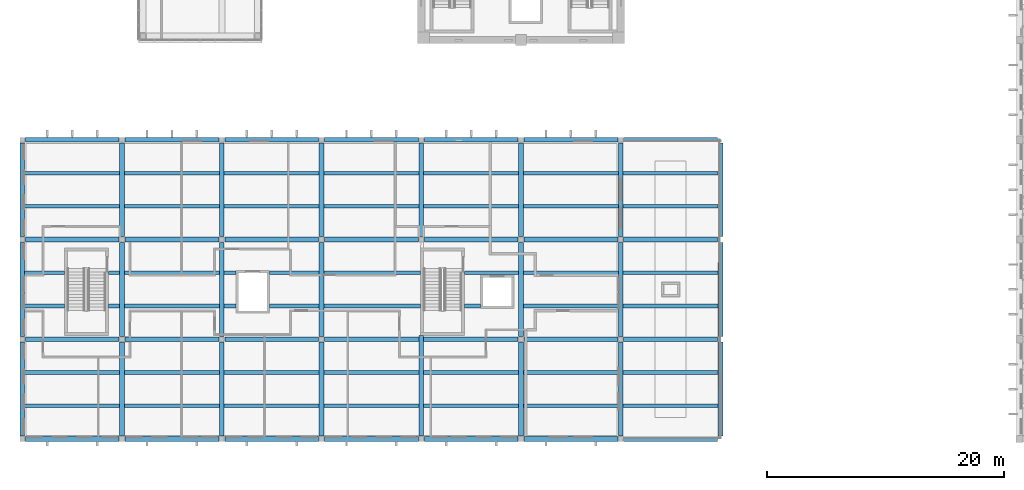
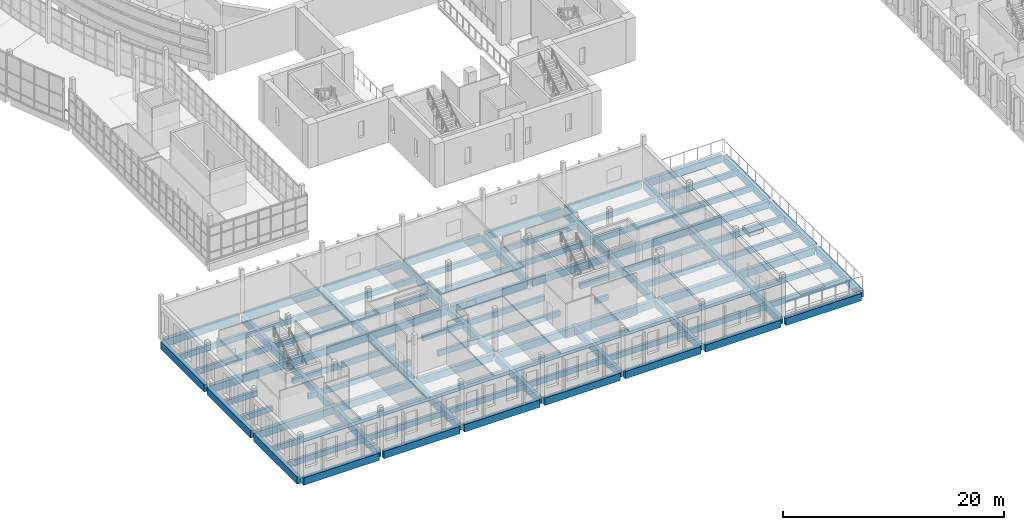
# One storey, part 3 of 103: 96 beams.
"""IFC4 building model written with IfcOpenShell, lengths in metres."""

from ifc_helpers import new_model, si_unit, direction, frame, origin, origin_2d, place, context, subcontext, project, spatial, rectangle, extrude, material, material_profile, profile_set, type_object, element, save


model = new_model("IFC4")

# Units and contexts
model_context = context("Model", 3, precision=1e-05, world=origin(), true_north=direction((0.0, 1.0)))
body_context = subcontext(model_context, "Body", "Model", "MODEL_VIEW")
ifc_project = project(units=[si_unit("LENGTHUNIT", "METRE"), si_unit("AREAUNIT", "SQUARE_METRE"), si_unit("VOLUMEUNIT", "CUBIC_METRE"), si_unit("PLANEANGLEUNIT", "RADIAN"), si_unit("MASSUNIT", "GRAM", prefix="KILO")], contexts=[model_context])

# Site, building, storey
site_placement = place(None, origin())
site = spatial("IfcSite", under=ifc_project, at=site_placement, CompositionType="ELEMENT")
building_placement = place(site_placement, origin())
building = spatial("IfcBuilding", under=site, at=building_placement, Name="Larchfold Concert Hall", CompositionType="ELEMENT")
storey_placement = place(building_placement, frame((0.0, 0.0, 9.60009765625)))
storey = spatial("IfcBuildingStorey", under=building, at=storey_placement, Name="L02", CompositionType="ELEMENT", Elevation=9.60009765625)

# Beams
ifc_material_1 = material(Name="Concrete C35/45", Category="concrete")
ifc_material_profile_1 = material_profile(ifc_material_1, rectangle(XDim=0.300048828125, YDim=0.60009765625, at=origin_2d()))
ifc_profile_set_1 = profile_set([ifc_material_profile_1], Name="Concrete C35/45")
beam_type_1 = type_object("IfcBeamType", Name="Beam RC 300x600", PredefinedType="BEAM", material=ifc_profile_set_1)
for number, where, z_axis, x_axis, name in (
    (1, (0.800048828125, 3.39990234375, -0.460205078125), (1.0, 0.0, 0.0), (0.0, 1.0, 0.0), "Beam B0243"),
    (2, (9.199951171875, 3.39990234375, -0.460205078125), (1.0, 0.0, 0.0), (0.0, 1.0, 0.0), "Beam B0244"),
    (3, (17.60009765625, 3.39990234375, -0.460205078125), (1.0, 0.0, 0.0), (0.0, 1.0, 0.0), "Beam B0245"),
    (4, (26.0, 3.39990234375, -0.460205078125), (1.0, 0.0, 0.0), (0.0, 1.0, 0.0), "Beam B0246"),
    (5, (34.39990234375, 3.39990234375, -0.460205078125), (1.0, 0.0, 0.0), (0.0, 1.0, 0.0), "Beam B0247"),
    (6, (42.800048828125, 3.39990234375, -0.460205078125), (1.0, 0.0, 0.0), (0.0, 1.0, 0.0), "Beam B0248"),
    (7, (51.199951171875, 3.39990234375, -0.460205078125), (1.0, 0.0, 0.0), (0.0, 1.0, 0.0), "Beam B0249"),
    (8, (0.800048828125, 6.199951171875, -0.460205078125), (1.0, 0.0, 0.0), (0.0, 1.0, 0.0), "Beam B0250"),
    (9, (9.199951171875, 6.199951171875, -0.460205078125), (1.0, 0.0, 0.0), (0.0, 1.0, 0.0), "Beam B0251"),
    (10, (17.60009765625, 6.199951171875, -0.460205078125), (1.0, 0.0, 0.0), (0.0, 1.0, 0.0), "Beam B0252"),
    (11, (26.0, 6.199951171875, -0.460205078125), (1.0, 0.0, 0.0), (0.0, 1.0, 0.0), "Beam B0253"),
    (12, (34.39990234375, 6.199951171875, -0.460205078125), (1.0, 0.0, 0.0), (0.0, 1.0, 0.0), "Beam B0254"),
    (13, (42.800048828125, 6.199951171875, -0.460205078125), (1.0, 0.0, 0.0), (0.0, 1.0, 0.0), "Beam B0255"),
    (14, (51.199951171875, 6.199951171875, -0.460205078125), (1.0, 0.0, 0.0), (0.0, 1.0, 0.0), "Beam B0256"),
):
    element("IfcBeam", number, at=place(storey_placement, frame(where, z_axis=z_axis, x_axis=x_axis)), inside=storey, type_object=beam_type_1, Name=name, PredefinedType="BEAM", context=body_context, shape_type="SweptSolid", body=[
        extrude(rectangle(XDim=0.300048828125, YDim=0.60009765625, at=origin_2d()), origin(), (0.0, 0.0, 1.0), 8.0),
    ])
beam_1_placement = place(storey_placement, frame((0.800048828125, 11.800048828125, -0.460205078125), z_axis=(1.0, 0.0, 0.0), x_axis=(0.0, 1.0, 0.0)))
element("IfcBeam", 15, at=beam_1_placement, inside=storey, type_object=beam_type_1, Name="Beam B0257", PredefinedType="BEAM", context=body_context, shape_type="SweptSolid", body=[
    extrude(rectangle(XDim=0.300048828125, YDim=0.60009765625, at=origin_2d()), origin(), (0.0, 0.0, 1.0), 3.349853515625),
])
beam_2_placement = place(storey_placement, frame((7.85009765625, 11.800048828125, -0.460205078125), z_axis=(1.0, 0.0, 0.0), x_axis=(0.0, 1.0, 0.0)))
element("IfcBeam", 16, at=beam_2_placement, inside=storey, type_object=beam_type_1, Name="Beam B0258", PredefinedType="BEAM", context=body_context, shape_type="SweptSolid", body=[
    extrude(rectangle(XDim=0.300048828125, YDim=0.60009765625, at=origin_2d()), origin(), (0.0, 0.0, 1.0), 0.949951171875),
])
beam_3_placement = place(storey_placement, frame((9.199951171875, 11.800048828125, -0.460205078125), z_axis=(1.0, 0.0, 0.0), x_axis=(0.0, 1.0, 0.0)))
element("IfcBeam", 17, at=beam_3_placement, inside=storey, type_object=beam_type_1, Name="Beam B0259", PredefinedType="BEAM", context=body_context, shape_type="SweptSolid", body=[
    extrude(rectangle(XDim=0.300048828125, YDim=0.60009765625, at=origin_2d()), origin(), (0.0, 0.0, 1.0), 8.0),
])
beam_4_placement = place(storey_placement, frame((17.60009765625, 11.800048828125, -0.460205078125), z_axis=(1.0, 0.0, 0.0), x_axis=(0.0, 1.0, 0.0)))
element("IfcBeam", 18, at=beam_4_placement, inside=storey, type_object=beam_type_1, Name="Beam B0260", PredefinedType="BEAM", context=body_context, shape_type="SweptSolid", body=[
    extrude(rectangle(XDim=0.300048828125, YDim=0.60009765625, at=origin_2d()), origin(), (0.0, 0.0, 1.0), 1.0),
])
beam_5_placement = place(storey_placement, frame((21.39990234375, 11.800048828125, -0.460205078125), z_axis=(1.0, 0.0, 0.0), x_axis=(0.0, 1.0, 0.0)))
element("IfcBeam", 19, at=beam_5_placement, inside=storey, type_object=beam_type_1, Name="Beam B0261", PredefinedType="BEAM", context=body_context, shape_type="SweptSolid", body=[
    extrude(rectangle(XDim=0.300048828125, YDim=0.60009765625, at=origin_2d()), origin(), (0.0, 0.0, 1.0), 4.2001953125),
])
beam_6_placement = place(storey_placement, frame((26.0, 11.800048828125, -0.460205078125), z_axis=(1.0, 0.0, 0.0), x_axis=(0.0, 1.0, 0.0)))
element("IfcBeam", 20, at=beam_6_placement, inside=storey, type_object=beam_type_1, Name="Beam B0262", PredefinedType="BEAM", context=body_context, shape_type="SweptSolid", body=[
    extrude(rectangle(XDim=0.300048828125, YDim=0.60009765625, at=origin_2d()), origin(), (0.0, 0.0, 1.0), 8.14990234375),
])
beam_7_placement = place(storey_placement, frame((37.85009765625, 11.800048828125, -0.460205078125), z_axis=(1.0, 0.0, 0.0), x_axis=(0.0, 1.0, 0.0)))
element("IfcBeam", 21, at=beam_7_placement, inside=storey, type_object=beam_type_1, Name="Beam B0263", PredefinedType="BEAM", context=body_context, shape_type="SweptSolid", body=[
    extrude(rectangle(XDim=0.300048828125, YDim=0.60009765625, at=origin_2d()), origin(), (0.0, 0.0, 1.0), 1.349853515625),
])
for number, where, z_axis, x_axis, name in (
    (22, (42.800048828125, 11.800048828125, -0.460205078125), (1.0, 0.0, 0.0), (0.0, 1.0, 0.0), "Beam B0264"),
    (23, (51.199951171875, 11.800048828125, -0.460205078125), (1.0, 0.0, 0.0), (0.0, 1.0, 0.0), "Beam B0265"),
):
    element("IfcBeam", number, at=place(storey_placement, frame(where, z_axis=z_axis, x_axis=x_axis)), inside=storey, type_object=beam_type_1, Name=name, PredefinedType="BEAM", context=body_context, shape_type="SweptSolid", body=[
        extrude(rectangle(XDim=0.300048828125, YDim=0.60009765625, at=origin_2d()), origin(), (0.0, 0.0, 1.0), 8.0),
    ])
beam_8_placement = place(storey_placement, frame((0.800048828125, 14.60009765625, -0.460205078125), z_axis=(1.0, 0.0, 0.0), x_axis=(0.0, 1.0, 0.0)))
element("IfcBeam", 24, at=beam_8_placement, inside=storey, type_object=beam_type_1, Name="Beam B0266", PredefinedType="BEAM", context=body_context, shape_type="SweptSolid", body=[
    extrude(rectangle(XDim=0.300048828125, YDim=0.60009765625, at=origin_2d()), origin(), (0.0, 0.0, 1.0), 3.349853515625),
])
beam_9_placement = place(storey_placement, frame((7.85009765625, 14.60009765625, -0.460205078125), z_axis=(1.0, 0.0, 0.0), x_axis=(0.0, 1.0, 0.0)))
element("IfcBeam", 25, at=beam_9_placement, inside=storey, type_object=beam_type_1, Name="Beam B0267", PredefinedType="BEAM", context=body_context, shape_type="SweptSolid", body=[
    extrude(rectangle(XDim=0.300048828125, YDim=0.60009765625, at=origin_2d()), origin(), (0.0, 0.0, 1.0), 0.949951171875),
])
beam_10_placement = place(storey_placement, frame((9.199951171875, 14.60009765625, -0.460205078125), z_axis=(1.0, 0.0, 0.0), x_axis=(0.0, 1.0, 0.0)))
element("IfcBeam", 26, at=beam_10_placement, inside=storey, type_object=beam_type_1, Name="Beam B0268", PredefinedType="BEAM", context=body_context, shape_type="SweptSolid", body=[
    extrude(rectangle(XDim=0.300048828125, YDim=0.60009765625, at=origin_2d()), origin(), (0.0, 0.0, 1.0), 8.0),
])
beam_11_placement = place(storey_placement, frame((17.60009765625, 14.60009765625, -0.460205078125), z_axis=(1.0, 0.0, 0.0), x_axis=(0.0, 1.0, 0.0)))
element("IfcBeam", 27, at=beam_11_placement, inside=storey, type_object=beam_type_1, Name="Beam B0269", PredefinedType="BEAM", context=body_context, shape_type="SweptSolid", body=[
    extrude(rectangle(XDim=0.300048828125, YDim=0.60009765625, at=origin_2d()), origin(), (0.0, 0.0, 1.0), 1.0),
])
beam_12_placement = place(storey_placement, frame((21.39990234375, 14.60009765625, -0.460205078125), z_axis=(1.0, 0.0, 0.0), x_axis=(0.0, 1.0, 0.0)))
element("IfcBeam", 28, at=beam_12_placement, inside=storey, type_object=beam_type_1, Name="Beam B0270", PredefinedType="BEAM", context=body_context, shape_type="SweptSolid", body=[
    extrude(rectangle(XDim=0.300048828125, YDim=0.60009765625, at=origin_2d()), origin(), (0.0, 0.0, 1.0), 4.2001953125),
])
beam_13_placement = place(storey_placement, frame((26.0, 14.60009765625, -0.460205078125), z_axis=(1.0, 0.0, 0.0), x_axis=(0.0, 1.0, 0.0)))
element("IfcBeam", 29, at=beam_13_placement, inside=storey, type_object=beam_type_1, Name="Beam B0271", PredefinedType="BEAM", context=body_context, shape_type="SweptSolid", body=[
    extrude(rectangle(XDim=0.300048828125, YDim=0.60009765625, at=origin_2d()), origin(), (0.0, 0.0, 1.0), 8.14990234375),
])
beam_14_placement = place(storey_placement, frame((37.85009765625, 14.60009765625, -0.460205078125), z_axis=(1.0, 0.0, 0.0), x_axis=(0.0, 1.0, 0.0)))
element("IfcBeam", 30, at=beam_14_placement, inside=storey, type_object=beam_type_1, Name="Beam B0272", PredefinedType="BEAM", context=body_context, shape_type="SweptSolid", body=[
    extrude(rectangle(XDim=0.300048828125, YDim=0.60009765625, at=origin_2d()), origin(), (0.0, 0.0, 1.0), 4.5498046875),
])
for number, where, z_axis, x_axis, name in (
    (31, (42.800048828125, 14.60009765625, -0.460205078125), (1.0, 0.0, 0.0), (0.0, 1.0, 0.0), "Beam B0273"),
    (32, (51.199951171875, 14.60009765625, -0.460205078125), (1.0, 0.0, 0.0), (0.0, 1.0, 0.0), "Beam B0274"),
    (33, (0.800048828125, 20.199951171875, -0.460205078125), (1.0, 0.0, 0.0), (0.0, 1.0, 0.0), "Beam B0275"),
    (34, (9.199951171875, 20.199951171875, -0.460205078125), (1.0, 0.0, 0.0), (0.0, 1.0, 0.0), "Beam B0276"),
    (35, (17.60009765625, 20.199951171875, -0.460205078125), (1.0, 0.0, 0.0), (0.0, 1.0, 0.0), "Beam B0277"),
    (36, (26.0, 20.199951171875, -0.460205078125), (1.0, 0.0, 0.0), (0.0, 1.0, 0.0), "Beam B0278"),
    (37, (34.39990234375, 20.199951171875, -0.460205078125), (1.0, 0.0, 0.0), (0.0, 1.0, 0.0), "Beam B0279"),
    (38, (42.800048828125, 20.199951171875, -0.460205078125), (1.0, 0.0, 0.0), (0.0, 1.0, 0.0), "Beam B0280"),
    (39, (51.199951171875, 20.199951171875, -0.460205078125), (1.0, 0.0, 0.0), (0.0, 1.0, 0.0), "Beam B0281"),
    (40, (0.800048828125, 23.0, -0.460205078125), (1.0, 0.0, 0.0), (0.0, 1.0, 0.0), "Beam B0282"),
    (41, (9.199951171875, 23.0, -0.460205078125), (1.0, 0.0, 0.0), (0.0, 1.0, 0.0), "Beam B0283"),
    (42, (17.60009765625, 23.0, -0.460205078125), (1.0, 0.0, 0.0), (0.0, 1.0, 0.0), "Beam B0284"),
    (43, (26.0, 23.0, -0.460205078125), (1.0, 0.0, 0.0), (0.0, 1.0, 0.0), "Beam B0285"),
    (44, (34.39990234375, 23.0, -0.460205078125), (1.0, 0.0, 0.0), (0.0, 1.0, 0.0), "Beam B0286"),
    (45, (42.800048828125, 23.0, -0.460205078125), (1.0, 0.0, 0.0), (0.0, 1.0, 0.0), "Beam B0287"),
    (46, (51.199951171875, 23.0, -0.460205078125), (1.0, 0.0, 0.0), (0.0, 1.0, 0.0), "Beam B0288"),
):
    element("IfcBeam", number, at=place(storey_placement, frame(where, z_axis=z_axis, x_axis=x_axis)), inside=storey, type_object=beam_type_1, Name=name, PredefinedType="BEAM", context=body_context, shape_type="SweptSolid", body=[
        extrude(rectangle(XDim=0.300048828125, YDim=0.60009765625, at=origin_2d()), origin(), (0.0, 0.0, 1.0), 8.0),
    ])
ifc_material_2 = material(Name="Concrete C35/45", Category="concrete")
ifc_material_profile_2 = material_profile(ifc_material_2, rectangle(XDim=0.39990234375, YDim=0.800048828125, at=origin_2d()))
ifc_profile_set_2 = profile_set([ifc_material_profile_2], Name="Concrete C35/45")
beam_type_2 = type_object("IfcBeamType", Name="Beam RC 400x800", PredefinedType="BEAM", material=ifc_profile_set_2)
for number, where, z_axis, x_axis, name in (
    (47, (0.60009765625, 0.85009765625, -0.56005859375), (0.0, 1.0, 0.0), (-1.0, 0.0, 0.0), "Beam B0193"),
    (48, (0.60009765625, 9.25, -0.56005859375), (0.0, 1.0, 0.0), (-1.0, 0.0, 0.0), "Beam B0194"),
):
    element("IfcBeam", number, at=place(storey_placement, frame(where, z_axis=z_axis, x_axis=x_axis)), inside=storey, type_object=beam_type_2, Name=name, PredefinedType="BEAM", context=body_context, shape_type="SweptSolid", body=[
        extrude(rectangle(XDim=0.39990234375, YDim=0.800048828125, at=origin_2d()), origin(), (0.0, 0.0, 1.0), 7.89990234375),
    ])
beam_15_placement = place(storey_placement, frame((0.60009765625, 17.64990234375, -0.56005859375), z_axis=(0.0, 1.0, 0.0), x_axis=(-1.0, 0.0, 0.0)))
element("IfcBeam", 49, at=beam_15_placement, inside=storey, type_object=beam_type_2, Name="Beam B0195", PredefinedType="BEAM", context=body_context, shape_type="SweptSolid", body=[
    extrude(rectangle(XDim=0.39990234375, YDim=0.800048828125, at=origin_2d()), origin(), (0.0, 0.0, 1.0), 7.900146484375),
])
for number, where, z_axis, x_axis, name in (
    (50, (9.0, 0.85009765625, -0.56005859375), (0.0, 1.0, 0.0), (-1.0, 0.0, 0.0), "Beam B0196"),
    (51, (9.0, 9.25, -0.56005859375), (0.0, 1.0, 0.0), (-1.0, 0.0, 0.0), "Beam B0197"),
):
    element("IfcBeam", number, at=place(storey_placement, frame(where, z_axis=z_axis, x_axis=x_axis)), inside=storey, type_object=beam_type_2, Name=name, PredefinedType="BEAM", context=body_context, shape_type="SweptSolid", body=[
        extrude(rectangle(XDim=0.39990234375, YDim=0.800048828125, at=origin_2d()), origin(), (0.0, 0.0, 1.0), 7.89990234375),
    ])
beam_16_placement = place(storey_placement, frame((9.0, 17.64990234375, -0.56005859375), z_axis=(0.0, 1.0, 0.0), x_axis=(-1.0, 0.0, 0.0)))
element("IfcBeam", 52, at=beam_16_placement, inside=storey, type_object=beam_type_2, Name="Beam B0198", PredefinedType="BEAM", context=body_context, shape_type="SweptSolid", body=[
    extrude(rectangle(XDim=0.39990234375, YDim=0.800048828125, at=origin_2d()), origin(), (0.0, 0.0, 1.0), 7.900146484375),
])
for number, where, z_axis, x_axis, name in (
    (53, (17.39990234375, 0.85009765625, -0.56005859375), (0.0, 1.0, 0.0), (-1.0, 0.0, 0.0), "Beam B0199"),
    (54, (17.39990234375, 9.25, -0.56005859375), (0.0, 1.0, 0.0), (-1.0, 0.0, 0.0), "Beam B0200"),
):
    element("IfcBeam", number, at=place(storey_placement, frame(where, z_axis=z_axis, x_axis=x_axis)), inside=storey, type_object=beam_type_2, Name=name, PredefinedType="BEAM", context=body_context, shape_type="SweptSolid", body=[
        extrude(rectangle(XDim=0.39990234375, YDim=0.800048828125, at=origin_2d()), origin(), (0.0, 0.0, 1.0), 7.89990234375),
    ])
beam_17_placement = place(storey_placement, frame((17.39990234375, 17.64990234375, -0.56005859375), z_axis=(0.0, 1.0, 0.0), x_axis=(-1.0, 0.0, 0.0)))
element("IfcBeam", 55, at=beam_17_placement, inside=storey, type_object=beam_type_2, Name="Beam B0201", PredefinedType="BEAM", context=body_context, shape_type="SweptSolid", body=[
    extrude(rectangle(XDim=0.39990234375, YDim=0.800048828125, at=origin_2d()), origin(), (0.0, 0.0, 1.0), 7.900146484375),
])
for number, where, z_axis, x_axis, name in (
    (56, (25.800048828125, 0.85009765625, -0.56005859375), (0.0, 1.0, 0.0), (-1.0, 0.0, 0.0), "Beam B0202"),
    (57, (25.800048828125, 9.25, -0.56005859375), (0.0, 1.0, 0.0), (-1.0, 0.0, 0.0), "Beam B0203"),
):
    element("IfcBeam", number, at=place(storey_placement, frame(where, z_axis=z_axis, x_axis=x_axis)), inside=storey, type_object=beam_type_2, Name=name, PredefinedType="BEAM", context=body_context, shape_type="SweptSolid", body=[
        extrude(rectangle(XDim=0.39990234375, YDim=0.800048828125, at=origin_2d()), origin(), (0.0, 0.0, 1.0), 7.89990234375),
    ])
beam_18_placement = place(storey_placement, frame((25.800048828125, 17.64990234375, -0.56005859375), z_axis=(0.0, 1.0, 0.0), x_axis=(-1.0, 0.0, 0.0)))
element("IfcBeam", 58, at=beam_18_placement, inside=storey, type_object=beam_type_2, Name="Beam B0204", PredefinedType="BEAM", context=body_context, shape_type="SweptSolid", body=[
    extrude(rectangle(XDim=0.39990234375, YDim=0.800048828125, at=origin_2d()), origin(), (0.0, 0.0, 1.0), 7.900146484375),
])
beam_19_placement = place(storey_placement, frame((34.199951171875, 0.85009765625, -0.56005859375), z_axis=(0.0, 1.0, 0.0), x_axis=(-1.0, 0.0, 0.0)))
element("IfcBeam", 59, at=beam_19_placement, inside=storey, type_object=beam_type_2, Name="Beam B0205", PredefinedType="BEAM", context=body_context, shape_type="SweptSolid", body=[
    extrude(rectangle(XDim=0.39990234375, YDim=0.800048828125, at=origin_2d()), origin(), (0.0, 0.0, 1.0), 8.449951171875),
])
beam_20_placement = place(storey_placement, frame((34.199951171875, 17.64990234375, -0.56005859375), z_axis=(0.0, 1.0, 0.0), x_axis=(-1.0, 0.0, 0.0)))
element("IfcBeam", 60, at=beam_20_placement, inside=storey, type_object=beam_type_2, Name="Beam B0206", PredefinedType="BEAM", context=body_context, shape_type="SweptSolid", body=[
    extrude(rectangle(XDim=0.39990234375, YDim=0.800048828125, at=origin_2d()), origin(), (0.0, 0.0, 1.0), 7.900146484375),
])
for number, where, z_axis, x_axis, name in (
    (61, (42.60009765625, 0.85009765625, -0.56005859375), (0.0, 1.0, 0.0), (-1.0, 0.0, 0.0), "Beam B0207"),
    (62, (42.60009765625, 9.25, -0.56005859375), (0.0, 1.0, 0.0), (-1.0, 0.0, 0.0), "Beam B0208"),
):
    element("IfcBeam", number, at=place(storey_placement, frame(where, z_axis=z_axis, x_axis=x_axis)), inside=storey, type_object=beam_type_2, Name=name, PredefinedType="BEAM", context=body_context, shape_type="SweptSolid", body=[
        extrude(rectangle(XDim=0.39990234375, YDim=0.800048828125, at=origin_2d()), origin(), (0.0, 0.0, 1.0), 7.89990234375),
    ])
beam_21_placement = place(storey_placement, frame((42.60009765625, 17.64990234375, -0.56005859375), z_axis=(0.0, 1.0, 0.0), x_axis=(-1.0, 0.0, 0.0)))
element("IfcBeam", 63, at=beam_21_placement, inside=storey, type_object=beam_type_2, Name="Beam B0209", PredefinedType="BEAM", context=body_context, shape_type="SweptSolid", body=[
    extrude(rectangle(XDim=0.39990234375, YDim=0.800048828125, at=origin_2d()), origin(), (0.0, 0.0, 1.0), 7.900146484375),
])
for number, where, z_axis, x_axis, name in (
    (64, (51.0, 0.85009765625, -0.56005859375), (0.0, 1.0, 0.0), (-1.0, 0.0, 0.0), "Beam B0210"),
    (65, (51.0, 9.25, -0.56005859375), (0.0, 1.0, 0.0), (-1.0, 0.0, 0.0), "Beam B0211"),
):
    element("IfcBeam", number, at=place(storey_placement, frame(where, z_axis=z_axis, x_axis=x_axis)), inside=storey, type_object=beam_type_2, Name=name, PredefinedType="BEAM", context=body_context, shape_type="SweptSolid", body=[
        extrude(rectangle(XDim=0.39990234375, YDim=0.800048828125, at=origin_2d()), origin(), (0.0, 0.0, 1.0), 7.89990234375),
    ])
beam_22_placement = place(storey_placement, frame((51.0, 17.64990234375, -0.56005859375), z_axis=(0.0, 1.0, 0.0), x_axis=(-1.0, 0.0, 0.0)))
element("IfcBeam", 66, at=beam_22_placement, inside=storey, type_object=beam_type_2, Name="Beam B0212", PredefinedType="BEAM", context=body_context, shape_type="SweptSolid", body=[
    extrude(rectangle(XDim=0.39990234375, YDim=0.800048828125, at=origin_2d()), origin(), (0.0, 0.0, 1.0), 7.900146484375),
])
for number, where, z_axis, x_axis, name in (
    (67, (59.39990234375, 0.85009765625, -0.56005859375), (0.0, 1.0, 0.0), (-1.0, 0.0, 0.0), "Beam B0213"),
    (68, (59.39990234375, 9.25, -0.56005859375), (0.0, 1.0, 0.0), (-1.0, 0.0, 0.0), "Beam B0214"),
):
    element("IfcBeam", number, at=place(storey_placement, frame(where, z_axis=z_axis, x_axis=x_axis)), inside=storey, type_object=beam_type_2, Name=name, PredefinedType="BEAM", context=body_context, shape_type="SweptSolid", body=[
        extrude(rectangle(XDim=0.39990234375, YDim=0.800048828125, at=origin_2d()), origin(), (0.0, 0.0, 1.0), 7.89990234375),
    ])
beam_23_placement = place(storey_placement, frame((59.39990234375, 17.64990234375, -0.56005859375), z_axis=(0.0, 1.0, 0.0), x_axis=(-1.0, 0.0, 0.0)))
element("IfcBeam", 69, at=beam_23_placement, inside=storey, type_object=beam_type_2, Name="Beam B0215", PredefinedType="BEAM", context=body_context, shape_type="SweptSolid", body=[
    extrude(rectangle(XDim=0.39990234375, YDim=0.800048828125, at=origin_2d()), origin(), (0.0, 0.0, 1.0), 7.900146484375),
])
for number, where, z_axis, x_axis, name in (
    (70, (0.85009765625, 0.60009765625, -0.56005859375), (1.0, 0.0, 0.0), (0.0, 1.0, 0.0), "Beam B0216"),
    (71, (9.25, 0.60009765625, -0.56005859375), (1.0, 0.0, 0.0), (0.0, 1.0, 0.0), "Beam B0217"),
):
    element("IfcBeam", number, at=place(storey_placement, frame(where, z_axis=z_axis, x_axis=x_axis)), inside=storey, type_object=beam_type_2, Name=name, PredefinedType="BEAM", context=body_context, shape_type="SweptSolid", body=[
        extrude(rectangle(XDim=0.39990234375, YDim=0.800048828125, at=origin_2d()), origin(), (0.0, 0.0, 1.0), 7.89990234375),
    ])
beam_24_placement = place(storey_placement, frame((17.64990234375, 0.60009765625, -0.56005859375), z_axis=(1.0, 0.0, 0.0), x_axis=(0.0, 1.0, 0.0)))
element("IfcBeam", 72, at=beam_24_placement, inside=storey, type_object=beam_type_2, Name="Beam B0218", PredefinedType="BEAM", context=body_context, shape_type="SweptSolid", body=[
    extrude(rectangle(XDim=0.39990234375, YDim=0.800048828125, at=origin_2d()), origin(), (0.0, 0.0, 1.0), 7.900146484375),
])
beam_25_placement = place(storey_placement, frame((26.050048828125, 0.60009765625, -0.56005859375), z_axis=(1.0, 0.0, 0.0), x_axis=(0.0, 1.0, 0.0)))
element("IfcBeam", 73, at=beam_25_placement, inside=storey, type_object=beam_type_2, Name="Beam B0219", PredefinedType="BEAM", context=body_context, shape_type="SweptSolid", body=[
    extrude(rectangle(XDim=0.39990234375, YDim=0.800048828125, at=origin_2d()), origin(), (0.0, 0.0, 1.0), 7.89990234375),
])
beam_26_placement = place(storey_placement, frame((34.449951171875, 0.60009765625, -0.56005859375), z_axis=(1.0, 0.0, 0.0), x_axis=(0.0, 1.0, 0.0)))
element("IfcBeam", 74, at=beam_26_placement, inside=storey, type_object=beam_type_2, Name="Beam B0220", PredefinedType="BEAM", context=body_context, shape_type="SweptSolid", body=[
    extrude(rectangle(XDim=0.39990234375, YDim=0.800048828125, at=origin_2d()), origin(), (0.0, 0.0, 1.0), 7.900146484375),
])
for number, where, z_axis, x_axis, name in (
    (75, (42.85009765625, 0.60009765625, -0.56005859375), (1.0, 0.0, 0.0), (0.0, 1.0, 0.0), "Beam B0221"),
    (76, (51.25, 0.60009765625, -0.56005859375), (1.0, 0.0, 0.0), (0.0, 1.0, 0.0), "Beam B0222"),
    (77, (0.85009765625, 9.0, -0.56005859375), (1.0, 0.0, 0.0), (0.0, 1.0, 0.0), "Beam B0223"),
    (78, (9.25, 9.0, -0.56005859375), (1.0, 0.0, 0.0), (0.0, 1.0, 0.0), "Beam B0224"),
):
    element("IfcBeam", number, at=place(storey_placement, frame(where, z_axis=z_axis, x_axis=x_axis)), inside=storey, type_object=beam_type_2, Name=name, PredefinedType="BEAM", context=body_context, shape_type="SweptSolid", body=[
        extrude(rectangle(XDim=0.39990234375, YDim=0.800048828125, at=origin_2d()), origin(), (0.0, 0.0, 1.0), 7.89990234375),
    ])
beam_27_placement = place(storey_placement, frame((17.64990234375, 9.0, -0.56005859375), z_axis=(1.0, 0.0, 0.0), x_axis=(0.0, 1.0, 0.0)))
element("IfcBeam", 79, at=beam_27_placement, inside=storey, type_object=beam_type_2, Name="Beam B0225", PredefinedType="BEAM", context=body_context, shape_type="SweptSolid", body=[
    extrude(rectangle(XDim=0.39990234375, YDim=0.800048828125, at=origin_2d()), origin(), (0.0, 0.0, 1.0), 7.900146484375),
])
beam_28_placement = place(storey_placement, frame((26.050048828125, 9.0, -0.56005859375), z_axis=(1.0, 0.0, 0.0), x_axis=(0.0, 1.0, 0.0)))
element("IfcBeam", 80, at=beam_28_placement, inside=storey, type_object=beam_type_2, Name="Beam B0226", PredefinedType="BEAM", context=body_context, shape_type="SweptSolid", body=[
    extrude(rectangle(XDim=0.39990234375, YDim=0.800048828125, at=origin_2d()), origin(), (0.0, 0.0, 1.0), 16.300048828125),
])
for number, where, z_axis, x_axis, name in (
    (81, (42.85009765625, 9.0, -0.56005859375), (1.0, 0.0, 0.0), (0.0, 1.0, 0.0), "Beam B0227"),
    (82, (51.25, 9.0, -0.56005859375), (1.0, 0.0, 0.0), (0.0, 1.0, 0.0), "Beam B0228"),
    (83, (0.85009765625, 17.39990234375, -0.56005859375), (1.0, 0.0, 0.0), (0.0, 1.0, 0.0), "Beam B0229"),
    (84, (9.25, 17.39990234375, -0.56005859375), (1.0, 0.0, 0.0), (0.0, 1.0, 0.0), "Beam B0230"),
):
    element("IfcBeam", number, at=place(storey_placement, frame(where, z_axis=z_axis, x_axis=x_axis)), inside=storey, type_object=beam_type_2, Name=name, PredefinedType="BEAM", context=body_context, shape_type="SweptSolid", body=[
        extrude(rectangle(XDim=0.39990234375, YDim=0.800048828125, at=origin_2d()), origin(), (0.0, 0.0, 1.0), 7.89990234375),
    ])
beam_29_placement = place(storey_placement, frame((17.64990234375, 17.39990234375, -0.56005859375), z_axis=(1.0, 0.0, 0.0), x_axis=(0.0, 1.0, 0.0)))
element("IfcBeam", 85, at=beam_29_placement, inside=storey, type_object=beam_type_2, Name="Beam B0231", PredefinedType="BEAM", context=body_context, shape_type="SweptSolid", body=[
    extrude(rectangle(XDim=0.39990234375, YDim=0.800048828125, at=origin_2d()), origin(), (0.0, 0.0, 1.0), 7.900146484375),
])
beam_30_placement = place(storey_placement, frame((26.050048828125, 17.39990234375, -0.56005859375), z_axis=(1.0, 0.0, 0.0), x_axis=(0.0, 1.0, 0.0)))
element("IfcBeam", 86, at=beam_30_placement, inside=storey, type_object=beam_type_2, Name="Beam B0232", PredefinedType="BEAM", context=body_context, shape_type="SweptSolid", body=[
    extrude(rectangle(XDim=0.39990234375, YDim=0.800048828125, at=origin_2d()), origin(), (0.0, 0.0, 1.0), 7.89990234375),
])
beam_31_placement = place(storey_placement, frame((34.449951171875, 17.39990234375, -0.56005859375), z_axis=(1.0, 0.0, 0.0), x_axis=(0.0, 1.0, 0.0)))
element("IfcBeam", 87, at=beam_31_placement, inside=storey, type_object=beam_type_2, Name="Beam B0233", PredefinedType="BEAM", context=body_context, shape_type="SweptSolid", body=[
    extrude(rectangle(XDim=0.39990234375, YDim=0.800048828125, at=origin_2d()), origin(), (0.0, 0.0, 1.0), 7.900146484375),
])
for number, where, z_axis, x_axis, name in (
    (88, (42.85009765625, 17.39990234375, -0.56005859375), (1.0, 0.0, 0.0), (0.0, 1.0, 0.0), "Beam B0234"),
    (89, (51.25, 17.39990234375, -0.56005859375), (1.0, 0.0, 0.0), (0.0, 1.0, 0.0), "Beam B0235"),
    (90, (0.85009765625, 25.800048828125, -0.56005859375), (1.0, 0.0, 0.0), (0.0, 1.0, 0.0), "Beam B0236"),
    (91, (9.25, 25.800048828125, -0.56005859375), (1.0, 0.0, 0.0), (0.0, 1.0, 0.0), "Beam B0237"),
):
    element("IfcBeam", number, at=place(storey_placement, frame(where, z_axis=z_axis, x_axis=x_axis)), inside=storey, type_object=beam_type_2, Name=name, PredefinedType="BEAM", context=body_context, shape_type="SweptSolid", body=[
        extrude(rectangle(XDim=0.39990234375, YDim=0.800048828125, at=origin_2d()), origin(), (0.0, 0.0, 1.0), 7.89990234375),
    ])
beam_32_placement = place(storey_placement, frame((17.64990234375, 25.800048828125, -0.56005859375), z_axis=(1.0, 0.0, 0.0), x_axis=(0.0, 1.0, 0.0)))
element("IfcBeam", 92, at=beam_32_placement, inside=storey, type_object=beam_type_2, Name="Beam B0238", PredefinedType="BEAM", context=body_context, shape_type="SweptSolid", body=[
    extrude(rectangle(XDim=0.39990234375, YDim=0.800048828125, at=origin_2d()), origin(), (0.0, 0.0, 1.0), 7.900146484375),
])
beam_33_placement = place(storey_placement, frame((26.050048828125, 25.800048828125, -0.56005859375), z_axis=(1.0, 0.0, 0.0), x_axis=(0.0, 1.0, 0.0)))
element("IfcBeam", 93, at=beam_33_placement, inside=storey, type_object=beam_type_2, Name="Beam B0239", PredefinedType="BEAM", context=body_context, shape_type="SweptSolid", body=[
    extrude(rectangle(XDim=0.39990234375, YDim=0.800048828125, at=origin_2d()), origin(), (0.0, 0.0, 1.0), 7.89990234375),
])
beam_34_placement = place(storey_placement, frame((34.449951171875, 25.800048828125, -0.56005859375), z_axis=(1.0, 0.0, 0.0), x_axis=(0.0, 1.0, 0.0)))
element("IfcBeam", 94, at=beam_34_placement, inside=storey, type_object=beam_type_2, Name="Beam B0240", PredefinedType="BEAM", context=body_context, shape_type="SweptSolid", body=[
    extrude(rectangle(XDim=0.39990234375, YDim=0.800048828125, at=origin_2d()), origin(), (0.0, 0.0, 1.0), 7.900146484375),
])
for number, where, z_axis, x_axis, name in (
    (95, (42.85009765625, 25.800048828125, -0.56005859375), (1.0, 0.0, 0.0), (0.0, 1.0, 0.0), "Beam B0241"),
    (96, (51.25, 25.800048828125, -0.56005859375), (1.0, 0.0, 0.0), (0.0, 1.0, 0.0), "Beam B0242"),
):
    element("IfcBeam", number, at=place(storey_placement, frame(where, z_axis=z_axis, x_axis=x_axis)), inside=storey, type_object=beam_type_2, Name=name, PredefinedType="BEAM", context=body_context, shape_type="SweptSolid", body=[
        extrude(rectangle(XDim=0.39990234375, YDim=0.800048828125, at=origin_2d()), origin(), (0.0, 0.0, 1.0), 7.89990234375),
    ])

save(model, "model.ifc")
